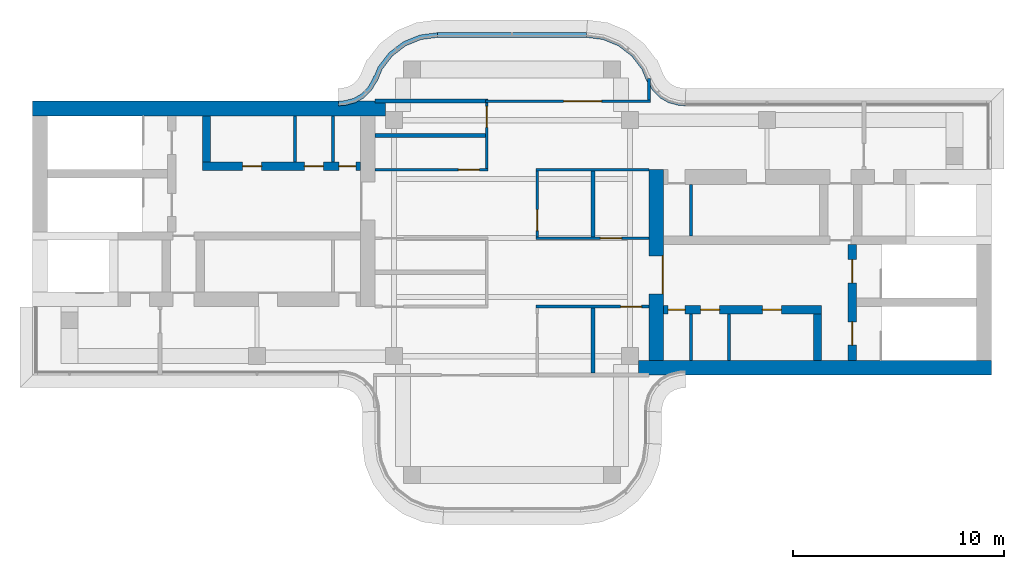
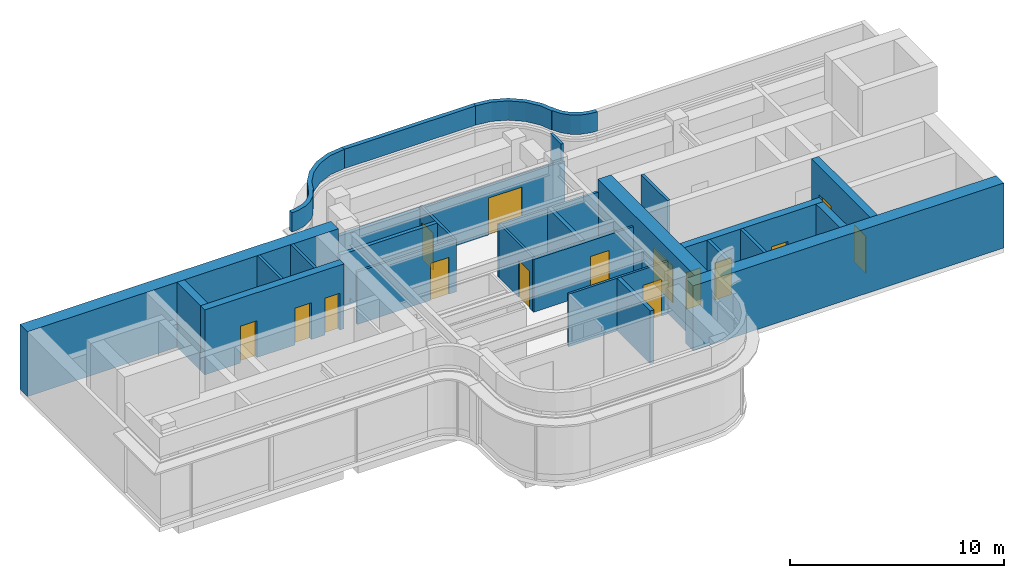
# One storey, part 7 of 9: 28 walls, 15 doors, 15 openings.
"""IFC4 building model written with IfcOpenShell, lengths in metres."""

from ifc_helpers import new_model, si_unit, direction, frame, frame_2d, origin, place, context, subcontext, project, spatial, polyline, rectangle, outline, extrude, source, transform, mapped, material, layer, layer_set, type_object, element, fill, save


model = new_model("IFC4")

# Units and contexts
model_context = context("Model", 3, precision=1e-05, world=origin(), true_north=direction((0.0, 1.0)))
body_context = subcontext(model_context, "Body", "Model", "MODEL_VIEW")
ifc_project = project(units=[si_unit("LENGTHUNIT", "METRE"), si_unit("AREAUNIT", "SQUARE_METRE"), si_unit("VOLUMEUNIT", "CUBIC_METRE"), si_unit("PLANEANGLEUNIT", "RADIAN"), si_unit("MASSUNIT", "GRAM", prefix="KILO")], contexts=[model_context])

# Site, building, storey
site_placement = place(None, origin())
site = spatial("IfcSite", under=ifc_project, at=site_placement, CompositionType="ELEMENT")
building_placement = place(site_placement, origin())
building = spatial("IfcBuilding", under=site, at=building_placement, Name="Trellis Farm Tower", CompositionType="ELEMENT")
storey_placement = place(building_placement, frame((0.0, 0.0, 358.10009765625)))
storey = spatial("IfcBuildingStorey", under=building, at=storey_placement, Name="L81", CompositionType="ELEMENT", Elevation=358.10009765625)

# Walls
ifc_material_1 = material(Name="Sandstone faced insulated wall", Category="masonry")
ifc_layer_1 = layer(ifc_material_1, 0.22509765625)
ifc_layer_set_1 = layer_set([ifc_layer_1], Name="PARAPET WALL 225")
wall_type_1 = type_object("IfcWallType", Name="PARAPET WALL 225", PredefinedType="PARAPET", material=ifc_layer_set_1)
placement = place(storey_placement, frame((0.0, 0.0, 4.0)))
element("IfcWall", 1, at=placement, inside=storey, type_object=wall_type_1, Name="EW3 09", PredefinedType="PARAPET", context=body_context, shape_type="SweptSolid", body=[
    extrude(outline(polyline([(8.2314453125, 6.5), (8.01953125, 6.513916015625), (7.91552734375, 6.527587890625), (7.508544921875, 6.63671875), (7.144287109375, 6.846923828125), (6.846923828125, 7.144287109375), (6.63623046875, 7.50927734375), (6.555419921875, 7.704345703125), (6.53466796875, 7.69580078125), (6.356689453125, 8.125), (5.84033203125, 8.798095703125), (5.167236328125, 9.314697265625), (4.38330078125, 9.63916015625), (3.542236328125, 9.75), (3.527587890625, 9.52490234375), (4.32470703125, 9.420166015625), (5.0537109375, 9.1181640625), (5.679931640625, 8.6376953125), (6.160400390625, 8.011474609375), (6.412841796875, 7.40185546875), (6.43359375, 7.410400390625), (6.43408203125, 7.40966796875), (6.6669921875, 7.006103515625), (7.006103515625, 6.6669921875), (7.421630859375, 6.427001953125), (7.87158203125, 6.306396484375), (7.99755859375, 6.289794921875), (8.22412109375, 6.27490234375), (8.2314453125, 6.5)])), origin(), (0.0, 0.0, 1.0), 1.099853515625),
])
wall_2_placement = place(storey_placement, frame((3.542236328125, 9.637451171875, 4.0), z_axis=(0.0, 0.0, 1.0), x_axis=(-1.0, 0.0, 0.0)))
element("IfcWall", 2, at=wall_2_placement, inside=storey, type_object=wall_type_1, Name="EW3 10", PredefinedType="PARAPET", context=body_context, shape_type="SweptSolid", body=[
    extrude(rectangle(XDim=7.08447265625, YDim=0.22509765625, at=frame_2d((3.542236328125, 0.0))), origin(), (0.0, 0.0, 1.0), 1.099853515625),
])
element("IfcWall", 3, at=placement, inside=storey, type_object=wall_type_1, Name="EW3 11", PredefinedType="PARAPET", context=body_context, shape_type="SweptSolid", body=[
    extrude(outline(polyline([(-3.542236328125, 9.75), (-4.38330078125, 9.63916015625), (-5.167236328125, 9.314697265625), (-5.84033203125, 8.798095703125), (-6.356689453125, 8.125), (-6.53466796875, 7.69580078125), (-6.555419921875, 7.704345703125), (-6.63623046875, 7.50927734375), (-6.846923828125, 7.144287109375), (-7.144287109375, 6.846923828125), (-7.508544921875, 6.63671875), (-7.91552734375, 6.527587890625), (-8.01953125, 6.513916015625), (-8.2314453125, 6.5), (-8.22412109375, 6.27490234375), (-7.99755859375, 6.289794921875), (-7.87158203125, 6.306396484375), (-7.421630859375, 6.427001953125), (-7.006103515625, 6.6669921875), (-6.6669921875, 7.006103515625), (-6.43408203125, 7.40966796875), (-6.43359375, 7.410400390625), (-6.412841796875, 7.40185546875), (-6.160400390625, 8.011474609375), (-5.679931640625, 8.6376953125), (-5.0537109375, 9.1181640625), (-4.32470703125, 9.420166015625), (-3.527587890625, 9.52490234375), (-3.542236328125, 9.75)])), origin(), (0.0, 0.0, 1.0), 1.099853515625),
])
ifc_material_2 = material(Name="Plasterboard on steel studs, mineral wool", Category="steel")
ifc_layer_2 = layer(ifc_material_2, 0.125)
ifc_layer_set_2 = layer_set([ifc_layer_2], Name="PARTITION 125 STUD EI 60")
wall_type_2 = type_object("IfcWallType", Name="PARTITION 125 STUD EI 60", PredefinedType="PARTITIONING", material=ifc_layer_set_2)
wall_4_placement = place(storey_placement, frame((6.5, 6.5625, 0.0), z_axis=(0.0, 0.0, 1.0), x_axis=(0.0, 1.0, 0.0)))
element("IfcWall", 4, at=wall_4_placement, inside=storey, type_object=wall_type_2, Name="Partition PW1", PredefinedType="PARTITIONING", context=body_context, shape_type="SweptSolid", body=[
    extrude(rectangle(XDim=1.016845703125, YDim=0.125, at=frame_2d((0.50830078125, 0.0))), origin(), (0.0, 0.0, 1.0), 3.699951171875),
])

# Wall, opening, door
ifc_material_3 = material(Name="Concrete C50/60", Category="concrete")
ifc_layer_3 = layer(ifc_material_3, 0.699951171875)
ifc_layer_set_3 = layer_set([ifc_layer_3], Name="CORE OUTER WALL 700 CONCRETE C50/60")
wall_type_3 = type_object("IfcWallType", Name="CORE OUTER WALL 700 CONCRETE C50/60", PredefinedType="SHEAR", material=ifc_layer_set_3)
shared_shape_1 = source(origin(), body_context, "Body", "SweptSolid", [
    extrude(rectangle(XDim=9.050048828125, YDim=0.699951171875, at=frame_2d((4.52490234375, 0.0))), origin(), (0.0, 0.0, 1.0), 3.699951171875),
])
wall_5_placement = place(storey_placement, frame((6.85009765625, -5.800048828125, 0.0), z_axis=(0.0, 0.0, 1.0), x_axis=(0.0, 1.0, 0.0)))
wall_5 = element("IfcWall", 5, at=wall_5_placement, inside=storey, type_object=wall_type_3, Name="Core wall", PredefinedType="SHEAR", context=body_context, shape_type="MappedRepresentation", body=[
    mapped(shared_shape_1, transform((0.0, 0.0, 0.0))),
])
shared_shape_2 = source(origin(), body_context, "Body", "SweptSolid", [
    extrude(rectangle(XDim=1.800048828125, YDim=2.10009765625, at=frame_2d((0.89990234375, 1.050048828125))), frame((0.0, 0.360107421875, 0.0), z_axis=(0.0, -1.0, 0.0), x_axis=(1.0, 0.0, 0.0)), (0.0, 0.0, 1.0), 0.72021484375),
])
opening_1_placement = place(wall_5_placement, frame((3.14990234375, 0.0, 0.0)))
opening_1 = element("IfcOpeningElement", 6, at=opening_1_placement, cuts=wall_5, Name="Opening DC1", PredefinedType="OPENING", context=body_context, shape_type="MappedRepresentation", body=[
    mapped(shared_shape_2, transform((0.0, 0.0, 0.0))),
])
ifc_material_4 = material(Name="Steel", Category="steel")
door_type_1 = type_object("IfcDoorType", Name="CORE FIRE DOOR DOUBLE 1800 X 2100", OperationType="DOUBLE_DOOR_SINGLE_SWING", PredefinedType="DOOR", material=ifc_material_4)
shared_shape_3 = source(origin(), body_context, "Body", "SweptSolid", [
    extrude(rectangle(XDim=1.800048828125, YDim=2.10009765625, at=frame_2d((0.89990234375, 1.050048828125))), frame((0.0, -0.27490234375, 0.0), z_axis=(0.0, -1.0, 0.0), x_axis=(1.0, 0.0, 0.0)), (0.0, 0.0, 1.0), 0.050048828125),
])
door_1_placement = place(opening_1_placement, origin())
door_1 = element("IfcDoor", 7, at=door_1_placement, inside=storey, type_object=door_type_1, Name="Core door", OperationType="DOUBLE_DOOR_SINGLE_SWING", OverallHeight=2.10009765625, OverallWidth=1.800048828125, PredefinedType="DOOR", context=body_context, shape_type="MappedRepresentation", body=[
    mapped(shared_shape_3, transform((0.0, 0.0, 0.0))),
])
fill(opening_1, door_1)

# Wall, openings, doors
ifc_layer_4 = layer(ifc_material_3, 0.39990234375)
ifc_layer_set_4 = layer_set([ifc_layer_4], Name="CORE INNER WALL 400 CONCRETE C50/60")
wall_type_4 = type_object("IfcWallType", Name="CORE INNER WALL 400 CONCRETE C50/60", PredefinedType="SHEAR", material=ifc_layer_set_4)
shared_shape_4 = source(origin(), body_context, "Body", "SweptSolid", [
    extrude(rectangle(XDim=7.5, YDim=0.39990234375, at=frame_2d((3.75, 0.0))), origin(), (0.0, 0.0, 1.0), 3.699951171875),
])
wall_6_placement = place(storey_placement, frame((7.199951171875, -3.39990234375, 0.0), z_axis=(0.0, 0.0, 1.0), x_axis=(1.0, 0.0, 0.0)))
wall_6 = element("IfcWall", 8, at=wall_6_placement, inside=storey, type_object=wall_type_4, Name="Core wall", PredefinedType="SHEAR", context=body_context, shape_type="MappedRepresentation", body=[
    mapped(shared_shape_4, transform((0.0, 0.0, 0.0))),
])
shared_shape_5 = source(origin(), body_context, "Body", "SweptSolid", [
    extrude(rectangle(XDim=0.800048828125, YDim=2.10009765625, at=frame_2d((0.39990234375, 1.050048828125))), frame((0.0, 0.2099609375, 0.0), z_axis=(0.0, -1.0, 0.0), x_axis=(1.0, 0.0, 0.0)), (0.0, 0.0, 1.0), 0.419921875),
])
opening_2_placement = place(wall_6_placement, frame((0.21240234375, 0.0, 0.0)))
opening_2 = element("IfcOpeningElement", 9, at=opening_2_placement, cuts=wall_6, Name="Opening DC51", PredefinedType="OPENING", context=body_context, shape_type="MappedRepresentation", body=[
    mapped(shared_shape_5, transform((0.0, 0.0, 0.0))),
])
shared_shape_6 = source(origin(), body_context, "Body", "SweptSolid", [
    extrude(rectangle(XDim=0.89990234375, YDim=2.10009765625, at=frame_2d((0.449951171875, 1.050048828125))), frame((0.0, 0.2099609375, 0.0), z_axis=(0.0, -1.0, 0.0), x_axis=(1.0, 0.0, 0.0)), (0.0, 0.0, 1.0), 0.419921875),
])
opening_3_placement = place(wall_6_placement, frame((1.75, 0.0, 0.0)))
opening_3 = element("IfcOpeningElement", 10, at=opening_3_placement, cuts=wall_6, Name="Opening DC60", PredefinedType="OPENING", context=body_context, shape_type="MappedRepresentation", body=[
    mapped(shared_shape_6, transform((0.0, 0.0, 0.0))),
])
opening_4_placement = place(wall_6_placement, frame((4.6875, 0.0, 0.0)))
opening_4 = element("IfcOpeningElement", 11, at=opening_4_placement, cuts=wall_6, Name="Opening DC65", PredefinedType="OPENING", context=body_context, shape_type="MappedRepresentation", body=[
    mapped(shared_shape_6, transform((0.0, 0.0, 0.0))),
])
door_type_2 = type_object("IfcDoorType", Name="CORE FIRE DOOR 900 X 2100", OperationType="NOTDEFINED", PredefinedType="DOOR", material=ifc_material_4)
shared_shape_7 = source(origin(), body_context, "Body", "SweptSolid", [
    extrude(rectangle(XDim=0.89990234375, YDim=2.10009765625, at=frame_2d((0.449951171875, 1.050048828125))), frame((0.0, 0.02490234375, 0.0), z_axis=(0.0, -1.0, 0.0), x_axis=(1.0, 0.0, 0.0)), (0.0, 0.0, 1.0), 0.050048828125),
])
door_2_placement = place(opening_3_placement, origin())
door_2 = element("IfcDoor", 12, at=door_2_placement, inside=storey, type_object=door_type_2, Name="Core door", OperationType="SINGLE_SWING_RIGHT", OverallHeight=2.10009765625, OverallWidth=0.89990234375, PredefinedType="DOOR", context=body_context, shape_type="MappedRepresentation", body=[
    mapped(shared_shape_7, transform((0.0, 0.0, 0.0))),
])
fill(opening_3, door_2)
door_3_placement = place(opening_4_placement, origin())
door_3 = element("IfcDoor", 13, at=door_3_placement, inside=storey, type_object=door_type_2, Name="Core door", OperationType="SINGLE_SWING_LEFT", OverallHeight=2.10009765625, OverallWidth=0.89990234375, PredefinedType="DOOR", context=body_context, shape_type="MappedRepresentation", body=[
    mapped(shared_shape_7, transform((0.0, 0.0, 0.0))),
])
fill(opening_4, door_3)
door_type_3 = type_object("IfcDoorType", Name="CORE FIRE DOOR 800 X 2100", OperationType="NOTDEFINED", PredefinedType="DOOR", material=ifc_material_4)
shared_shape_8 = source(origin(), body_context, "Body", "SweptSolid", [
    extrude(rectangle(XDim=0.800048828125, YDim=2.10009765625, at=frame_2d((0.39990234375, 1.050048828125))), frame((0.0, 0.02490234375, 0.0), z_axis=(0.0, -1.0, 0.0), x_axis=(1.0, 0.0, 0.0)), (0.0, 0.0, 1.0), 0.050048828125),
])
door_4_placement = place(opening_2_placement, origin())
door_4 = element("IfcDoor", 14, at=door_4_placement, inside=storey, type_object=door_type_3, Name="Core door", OperationType="SINGLE_SWING_LEFT", OverallHeight=2.10009765625, OverallWidth=0.800048828125, PredefinedType="DOOR", context=body_context, shape_type="MappedRepresentation", body=[
    mapped(shared_shape_8, transform((0.0, 0.0, 0.0))),
])
fill(opening_2, door_4)

wall_7_placement = place(storey_placement, frame((-7.199951171875, 3.39990234375, 0.0), z_axis=(0.0, 0.0, 1.0), x_axis=(-1.0, 0.0, 0.0)))
wall_7 = element("IfcWall", 15, at=wall_7_placement, inside=storey, type_object=wall_type_4, Name="Core wall", PredefinedType="SHEAR", context=body_context, shape_type="MappedRepresentation", body=[
    mapped(shared_shape_4, transform((0.0, 0.0, 0.0))),
])
opening_5_placement = place(wall_7_placement, frame((0.21240234375, 0.0, 0.0)))
opening_5 = element("IfcOpeningElement", 16, at=opening_5_placement, cuts=wall_7, Name="Opening DC137", PredefinedType="OPENING", context=body_context, shape_type="MappedRepresentation", body=[
    mapped(shared_shape_5, transform((0.0, 0.0, 0.0))),
])
opening_6_placement = place(wall_7_placement, frame((1.75, 0.0, 0.0)))
opening_6 = element("IfcOpeningElement", 17, at=opening_6_placement, cuts=wall_7, Name="Opening DC146", PredefinedType="OPENING", context=body_context, shape_type="MappedRepresentation", body=[
    mapped(shared_shape_6, transform((0.0, 0.0, 0.0))),
])
opening_7_placement = place(wall_7_placement, frame((4.6875, 0.0, 0.0)))
opening_7 = element("IfcOpeningElement", 18, at=opening_7_placement, cuts=wall_7, Name="Opening DC151", PredefinedType="OPENING", context=body_context, shape_type="MappedRepresentation", body=[
    mapped(shared_shape_6, transform((0.0, 0.0, 0.0))),
])
door_5_placement = place(opening_6_placement, origin())
door_5 = element("IfcDoor", 19, at=door_5_placement, inside=storey, type_object=door_type_2, Name="Core door", OperationType="SINGLE_SWING_RIGHT", OverallHeight=2.10009765625, OverallWidth=0.89990234375, PredefinedType="DOOR", context=body_context, shape_type="MappedRepresentation", body=[
    mapped(shared_shape_7, transform((0.0, 0.0, 0.0))),
])
fill(opening_6, door_5)
door_6_placement = place(opening_7_placement, origin())
door_6 = element("IfcDoor", 20, at=door_6_placement, inside=storey, type_object=door_type_2, Name="Core door", OperationType="SINGLE_SWING_LEFT", OverallHeight=2.10009765625, OverallWidth=0.89990234375, PredefinedType="DOOR", context=body_context, shape_type="MappedRepresentation", body=[
    mapped(shared_shape_7, transform((0.0, 0.0, 0.0))),
])
fill(opening_7, door_6)
door_7_placement = place(opening_5_placement, origin())
door_7 = element("IfcDoor", 21, at=door_7_placement, inside=storey, type_object=door_type_3, Name="Core door", OperationType="SINGLE_SWING_LEFT", OverallHeight=2.10009765625, OverallWidth=0.800048828125, PredefinedType="DOOR", context=body_context, shape_type="MappedRepresentation", body=[
    mapped(shared_shape_8, transform((0.0, 0.0, 0.0))),
])
fill(opening_5, door_7)

shared_shape_9 = source(origin(), body_context, "Body", "SweptSolid", [
    extrude(rectangle(XDim=5.5, YDim=0.39990234375, at=frame_2d((2.75, 0.0))), origin(), (0.0, 0.0, 1.0), 3.699951171875),
])
wall_8_placement = place(storey_placement, frame((16.14990234375, -5.800048828125, 0.0), z_axis=(0.0, 0.0, 1.0), x_axis=(0.0, 1.0, 0.0)))
wall_8 = element("IfcWall", 22, at=wall_8_placement, inside=storey, type_object=wall_type_4, Name="Core wall", PredefinedType="SHEAR", context=body_context, shape_type="MappedRepresentation", body=[
    mapped(shared_shape_9, transform((0.0, 0.0, 0.0))),
])
shared_shape_10 = source(origin(), body_context, "Body", "SweptSolid", [
    extrude(rectangle(XDim=1.10009765625, YDim=2.10009765625, at=frame_2d((0.550048828125, 1.050048828125))), frame((0.0, 0.2099609375, 0.0), z_axis=(0.0, -1.0, 0.0), x_axis=(1.0, 0.0, 0.0)), (0.0, 0.0, 1.0), 0.419921875),
])
opening_8_placement = place(wall_8_placement, frame((0.72509765625, 0.0, 0.0)))
opening_8 = element("IfcOpeningElement", 23, at=opening_8_placement, cuts=wall_8, Name="Opening DC2", PredefinedType="OPENING", context=body_context, shape_type="MappedRepresentation", body=[
    mapped(shared_shape_10, transform((0.0, 0.0, 0.0))),
])
opening_9_placement = place(wall_8_placement, frame((3.675048828125, 0.0, 0.0)))
opening_9 = element("IfcOpeningElement", 24, at=opening_9_placement, cuts=wall_8, Name="Opening DC3", PredefinedType="OPENING", context=body_context, shape_type="MappedRepresentation", body=[
    mapped(shared_shape_10, transform((0.0, 0.0, 0.0))),
])
door_type_4 = type_object("IfcDoorType", Name="CORE FIRE DOOR 1100 X 2100", OperationType="NOTDEFINED", PredefinedType="DOOR", material=ifc_material_4)
shared_shape_11 = source(origin(), body_context, "Body", "SweptSolid", [
    extrude(rectangle(XDim=1.10009765625, YDim=2.10009765625, at=frame_2d((0.550048828125, 1.050048828125))), frame((0.0, 0.02490234375, 0.0), z_axis=(0.0, -1.0, 0.0), x_axis=(1.0, 0.0, 0.0)), (0.0, 0.0, 1.0), 0.050048828125),
])
door_8_placement = place(opening_8_placement, origin())
door_8 = element("IfcDoor", 25, at=door_8_placement, inside=storey, type_object=door_type_4, Name="Core door", OperationType="SINGLE_SWING_RIGHT", OverallHeight=2.10009765625, OverallWidth=1.10009765625, PredefinedType="DOOR", context=body_context, shape_type="MappedRepresentation", body=[
    mapped(shared_shape_11, transform((0.0, 0.0, 0.0))),
])
fill(opening_8, door_8)
door_9_placement = place(opening_9_placement, origin())
door_9 = element("IfcDoor", 26, at=door_9_placement, inside=storey, type_object=door_type_4, Name="Core door", OperationType="SINGLE_SWING_LEFT", OverallHeight=2.10009765625, OverallWidth=1.10009765625, PredefinedType="DOOR", context=body_context, shape_type="MappedRepresentation", body=[
    mapped(shared_shape_11, transform((0.0, 0.0, 0.0))),
])
fill(opening_9, door_9)

# Walls
shared_shape_12 = source(origin(), body_context, "Body", "SweptSolid", [
    extrude(rectangle(XDim=2.199951171875, YDim=0.39990234375, at=frame_2d((1.10009765625, 0.0))), origin(), (0.0, 0.0, 1.0), 3.699951171875),
])
for number, where, z_axis, x_axis, name in (
    (27, (14.5, -5.800048828125, 0.0), (0.0, 0.0, 1.0), (0.0, 1.0, 0.0), "Core wall"),
    (28, (-14.5, 5.800048828125, 0.0), (0.0, 0.0, 1.0), (0.0, -1.0, 0.0), "Core wall"),
):
    element("IfcWall", number, at=place(storey_placement, frame(where, z_axis=z_axis, x_axis=x_axis)), inside=storey, type_object=wall_type_4, Name=name, PredefinedType="SHEAR", context=body_context, shape_type="MappedRepresentation", body=[
        mapped(shared_shape_12, transform((0.0, 0.0, 0.0))),
    ])
ifc_material_5 = material(Name="Masonry blockwork", Category="masonry")
ifc_layer_5 = layer(ifc_material_5, 0.14990234375)
ifc_layer_set_5 = layer_set([ifc_layer_5], Name="CORE PARTITION 150 BLOCKWORK")
wall_type_5 = type_object("IfcWallType", Name="CORE PARTITION 150 BLOCKWORK", PredefinedType="PARTITIONING", material=ifc_layer_set_5)
shared_shape_13 = source(origin(), body_context, "Body", "SweptSolid", [
    extrude(rectangle(XDim=2.199951171875, YDim=0.14990234375, at=frame_2d((1.10009765625, 0.0))), origin(), (0.0, 0.0, 1.0), 3.699951171875),
])
for number, where, z_axis, x_axis, name in (
    (29, (8.5, -5.800048828125, 0.0), (0.0, 0.0, 1.0), (0.0, 1.0, 0.0), "Core room partition"),
    (30, (10.300048828125, -5.800048828125, 0.0), (0.0, 0.0, 1.0), (0.0, 1.0, 0.0), "Core room partition"),
    (31, (-8.5, 5.800048828125, 0.0), (0.0, 0.0, 1.0), (0.0, -1.0, 0.0), "Core room partition"),
    (32, (-10.300048828125, 5.800048828125, 0.0), (0.0, 0.0, 1.0), (0.0, -1.0, 0.0), "Core room partition"),
):
    element("IfcWall", number, at=place(storey_placement, frame(where, z_axis=z_axis, x_axis=x_axis)), inside=storey, type_object=wall_type_5, Name=name, PredefinedType="PARTITIONING", context=body_context, shape_type="MappedRepresentation", body=[
        mapped(shared_shape_13, transform((0.0, 0.0, 0.0))),
    ])
shared_shape_14 = source(origin(), body_context, "Body", "SweptSolid", [
    extrude(rectangle(XDim=2.449951171875, YDim=0.14990234375, at=frame_2d((1.22509765625, 0.0))), origin(), (0.0, 0.0, 1.0), 3.699951171875),
])
wall_9_placement = place(storey_placement, frame((8.5, 0.10009765625, 0.0), z_axis=(0.0, 0.0, 1.0), x_axis=(0.0, 1.0, 0.0)))
element("IfcWall", 33, at=wall_9_placement, inside=storey, type_object=wall_type_5, Name="Core room partition", PredefinedType="PARTITIONING", context=body_context, shape_type="MappedRepresentation", body=[
    mapped(shared_shape_14, transform((0.0, 0.0, 0.0))),
])
shared_shape_15 = source(origin(), body_context, "Body", "SweptSolid", [
    extrude(rectangle(XDim=16.75, YDim=0.699951171875, at=frame_2d((8.375, 0.0))), origin(), (0.0, 0.0, 1.0), 3.699951171875),
])
for number, where, z_axis, x_axis, name in (
    (34, (6.0, -6.14990234375, 0.0), (0.0, 0.0, 1.0), (1.0, 0.0, 0.0), "Core wall"),
    (35, (-6.0, 6.14990234375, 0.0), (0.0, 0.0, 1.0), (-1.0, 0.0, 0.0), "Core wall"),
):
    element("IfcWall", number, at=place(storey_placement, frame(where, z_axis=z_axis, x_axis=x_axis)), inside=storey, type_object=wall_type_3, Name=name, PredefinedType="SHEAR", context=body_context, shape_type="MappedRepresentation", body=[
        mapped(shared_shape_15, transform((0.0, 0.0, 0.0))),
    ])

# Wall, opening, door
shared_shape_16 = source(origin(), body_context, "Body", "SweptSolid", [
    extrude(rectangle(XDim=5.362548828125, YDim=0.125, at=frame_2d((2.68115234375, 0.0))), origin(), (0.0, 0.0, 1.0), 2.99658203125),
])
wall_10_placement = place(storey_placement, frame((6.5, -3.25, 0.0), z_axis=(0.0, 0.0, 1.0), x_axis=(-1.0, 0.0, 0.0)))
wall_10 = element("IfcWall", 36, at=wall_10_placement, inside=storey, type_object=wall_type_2, Name="Partition PW1", PredefinedType="PARTITIONING", context=body_context, shape_type="MappedRepresentation", body=[
    mapped(shared_shape_16, transform((0.0, 0.0, 0.0))),
])
shared_shape_17 = source(origin(), body_context, "Body", "SweptSolid", [
    extrude(rectangle(XDim=1.0, YDim=2.10009765625, at=frame_2d((0.5, 1.050048828125))), frame((0.0, 0.072509765625, 0.0), z_axis=(0.0, -1.0, 0.0), x_axis=(1.0, 0.0, 0.0)), (0.0, 0.0, 1.0), 0.14501953125),
])
opening_10_placement = place(wall_10_placement, frame((0.35009765625, 0.0, 0.0)))
opening_10 = element("IfcOpeningElement", 37, at=opening_10_placement, cuts=wall_10, Name="Opening D301", PredefinedType="OPENING", context=body_context, shape_type="MappedRepresentation", body=[
    mapped(shared_shape_17, transform((0.0, 0.0, 0.0))),
])
ifc_material_6 = material(Name="Fire-rated timber door leaf in a hollow metal frame", Category="wood")
door_type_5 = type_object("IfcDoorType", Name="DOOR 1000x2100 FD60", OperationType="NOTDEFINED", PredefinedType="DOOR", material=ifc_material_6)
shared_shape_18 = source(origin(), body_context, "Body", "SweptSolid", [
    extrude(rectangle(XDim=1.0, YDim=2.10009765625, at=frame_2d((0.5, 1.050048828125))), frame((0.0, 0.02490234375, 0.0), z_axis=(0.0, -1.0, 0.0), x_axis=(1.0, 0.0, 0.0)), (0.0, 0.0, 1.0), 0.050048828125),
])
door_10_placement = place(opening_10_placement, origin())
door_10 = element("IfcDoor", 38, at=door_10_placement, inside=storey, type_object=door_type_5, Name="Door D301", OperationType="SINGLE_SWING_LEFT", OverallHeight=2.10009765625, OverallWidth=1.0, PredefinedType="DOOR", context=body_context, shape_type="MappedRepresentation", body=[
    mapped(shared_shape_18, transform((0.0, 0.0, 0.0))),
])
fill(opening_10, door_10)

wall_11_placement = place(storey_placement, frame((6.5, 0.0, 0.0), z_axis=(0.0, 0.0, 1.0), x_axis=(-1.0, 0.0, 0.0)))
wall_11 = element("IfcWall", 39, at=wall_11_placement, inside=storey, type_object=wall_type_2, Name="Partition PW1", PredefinedType="PARTITIONING", context=body_context, shape_type="MappedRepresentation", body=[
    mapped(shared_shape_16, transform((0.0, 0.0, 0.0))),
])
opening_11_placement = place(wall_11_placement, frame((1.300048828125, 0.0, 0.0)))
opening_11 = element("IfcOpeningElement", 40, at=opening_11_placement, cuts=wall_11, Name="Opening D303", PredefinedType="OPENING", context=body_context, shape_type="MappedRepresentation", body=[
    mapped(shared_shape_17, transform((0.0, 0.0, 0.0))),
])
door_11_placement = place(opening_11_placement, origin())
door_11 = element("IfcDoor", 41, at=door_11_placement, inside=storey, type_object=door_type_5, Name="Door D303", OperationType="SINGLE_SWING_RIGHT", OverallHeight=2.10009765625, OverallWidth=1.0, PredefinedType="DOOR", context=body_context, shape_type="MappedRepresentation", body=[
    mapped(shared_shape_18, transform((0.0, 0.0, 0.0))),
])
fill(opening_11, door_11)

wall_12_placement = place(storey_placement, frame((-6.5, 3.25, 0.0), z_axis=(0.0, 0.0, 1.0), x_axis=(1.0, 0.0, 0.0)))
wall_12 = element("IfcWall", 42, at=wall_12_placement, inside=storey, type_object=wall_type_2, Name="Partition PW1", PredefinedType="PARTITIONING", context=body_context, shape_type="MappedRepresentation", body=[
    mapped(shared_shape_16, transform((0.0, 0.0, 0.0))),
])
opening_12_placement = place(wall_12_placement, frame((3.949951171875, 0.0, 0.0)))
opening_12 = element("IfcOpeningElement", 43, at=opening_12_placement, cuts=wall_12, Name="Opening D304", PredefinedType="OPENING", context=body_context, shape_type="MappedRepresentation", body=[
    mapped(shared_shape_17, transform((0.0, 0.0, 0.0))),
])
door_12_placement = place(opening_12_placement, origin())
door_12 = element("IfcDoor", 44, at=door_12_placement, inside=storey, type_object=door_type_5, Name="Door D304", OperationType="SINGLE_SWING_RIGHT", OverallHeight=2.10009765625, OverallWidth=1.0, PredefinedType="DOOR", context=body_context, shape_type="MappedRepresentation", body=[
    mapped(shared_shape_18, transform((0.0, 0.0, 0.0))),
])
fill(opening_12, door_12)

# Wall
wall_13_placement = place(storey_placement, frame((1.137451171875, 3.25, 0.0), z_axis=(0.0, 0.0, 1.0), x_axis=(1.0, 0.0, 0.0)))
element("IfcWall", 45, at=wall_13_placement, inside=storey, type_object=wall_type_2, Name="Partition PW1", PredefinedType="PARTITIONING", context=body_context, shape_type="MappedRepresentation", body=[
    mapped(shared_shape_16, transform((0.0, 0.0, 0.0))),
])

# Wall, opening, door
shared_shape_19 = source(origin(), body_context, "Body", "SweptSolid", [
    extrude(rectangle(XDim=3.125, YDim=0.125, at=frame_2d((1.5625, 0.0))), origin(), (0.0, 0.0, 1.0), 3.067626953125),
])
wall_14_placement = place(storey_placement, frame((1.199951171875, 3.1875, 0.0), z_axis=(0.0, 0.0, 1.0), x_axis=(0.0, -1.0, 0.0)))
wall_14 = element("IfcWall", 46, at=wall_14_placement, inside=storey, type_object=wall_type_2, Name="Partition PW1", PredefinedType="PARTITIONING", context=body_context, shape_type="MappedRepresentation", body=[
    mapped(shared_shape_19, transform((0.0, 0.0, 0.0))),
])
opening_13_placement = place(wall_14_placement, frame((1.83740234375, 0.0, 0.0)))
opening_13 = element("IfcOpeningElement", 47, at=opening_13_placement, cuts=wall_14, Name="Opening D102", PredefinedType="OPENING", context=body_context, shape_type="MappedRepresentation", body=[
    mapped(shared_shape_17, transform((0.0, 0.0, 0.0))),
])
door_type_6 = type_object("IfcDoorType", Name="DOOR 1000x2100 FD30S", OperationType="NOTDEFINED", PredefinedType="DOOR", material=ifc_material_6)
door_13_placement = place(opening_13_placement, origin())
door_13 = element("IfcDoor", 48, at=door_13_placement, inside=storey, type_object=door_type_6, Name="Door D102", OperationType="SINGLE_SWING_RIGHT", OverallHeight=2.10009765625, OverallWidth=1.0, PredefinedType="DOOR", context=body_context, shape_type="MappedRepresentation", body=[
    mapped(shared_shape_18, transform((0.0, 0.0, 0.0))),
])
fill(opening_13, door_13)

# Wall
ifc_material_7 = material(Name="Lightweight blockwork, plastered", Category="masonry")
ifc_layer_6 = layer(ifc_material_7, 0.199951171875)
ifc_layer_set_6 = layer_set([ifc_layer_6], Name="BLOCK WALL 200 EI 120")
wall_type_6 = type_object("IfcWallType", Name="BLOCK WALL 200 EI 120", PredefinedType="PARTITIONING", material=ifc_layer_set_6)
shared_shape_20 = source(origin(), body_context, "Body", "SweptSolid", [
    extrude(rectangle(XDim=3.08740234375, YDim=0.199951171875, at=frame_2d((1.543701171875, 0.0))), origin(), (0.0, 0.0, 1.0), 2.99658203125),
])
wall_15_placement = place(storey_placement, frame((3.85009765625, -6.39990234375, 0.0), z_axis=(0.0, 0.0, 1.0), x_axis=(0.0, 1.0, 0.0)))
element("IfcWall", 49, at=wall_15_placement, inside=storey, type_object=wall_type_6, Name="Partition PW3", PredefinedType="PARTITIONING", context=body_context, shape_type="MappedRepresentation", body=[
    mapped(shared_shape_20, transform((0.0, 0.0, 0.0))),
])

# Wall, opening, door
shared_shape_21 = source(origin(), body_context, "Body", "SweptSolid", [
    extrude(rectangle(XDim=3.08740234375, YDim=0.125, at=frame_2d((1.543701171875, 0.0))), origin(), (0.0, 0.0, 1.0), 2.99658203125),
])
wall_16_placement = place(storey_placement, frame((-1.199951171875, 6.39990234375, 0.0), z_axis=(0.0, 0.0, 1.0), x_axis=(0.0, -1.0, 0.0)))
wall_16 = element("IfcWall", 50, at=wall_16_placement, inside=storey, type_object=wall_type_2, Name="Partition PW1", PredefinedType="PARTITIONING", context=body_context, shape_type="MappedRepresentation", body=[
    mapped(shared_shape_21, transform((0.0, 0.0, 0.0))),
])
opening_14_placement = place(wall_16_placement, frame((0.14990234375, 0.0, 0.0)))
opening_14 = element("IfcOpeningElement", 51, at=opening_14_placement, cuts=wall_16, Name="Opening D305", PredefinedType="OPENING", context=body_context, shape_type="MappedRepresentation", body=[
    mapped(shared_shape_17, transform((0.0, 0.0, 0.0))),
])
door_14_placement = place(opening_14_placement, origin())
door_14 = element("IfcDoor", 52, at=door_14_placement, inside=storey, type_object=door_type_5, Name="Door D305", OperationType="SINGLE_SWING_LEFT", OverallHeight=2.10009765625, OverallWidth=1.0, PredefinedType="DOOR", context=body_context, shape_type="MappedRepresentation", body=[
    mapped(shared_shape_18, transform((0.0, 0.0, 0.0))),
])
fill(opening_14, door_14)

# Walls
shared_shape_22 = source(origin(), body_context, "Body", "SweptSolid", [
    extrude(rectangle(XDim=3.125, YDim=0.199951171875, at=frame_2d((1.5625, 0.0))), origin(), (0.0, 0.0, 1.0), 3.067626953125),
])
wall_17_placement = place(storey_placement, frame((3.85009765625, 0.0625, 0.0), z_axis=(0.0, 0.0, 1.0), x_axis=(0.0, 1.0, 0.0)))
element("IfcWall", 53, at=wall_17_placement, inside=storey, type_object=wall_type_6, Name="Partition PW3", PredefinedType="PARTITIONING", context=body_context, shape_type="MappedRepresentation", body=[
    mapped(shared_shape_22, transform((0.0, 0.0, 0.0))),
])
shared_shape_23 = source(origin(), body_context, "Body", "SweptSolid", [
    extrude(rectangle(XDim=5.237548828125, YDim=0.199951171875, at=frame_2d((2.61865234375, 0.0))), origin(), (0.0, 0.0, 1.0), 2.99658203125),
])
wall_18_placement = place(storey_placement, frame((-6.5, 4.875, 0.0), z_axis=(0.0, 0.0, 1.0), x_axis=(1.0, 0.0, 0.0)))
element("IfcWall", 54, at=wall_18_placement, inside=storey, type_object=wall_type_6, Name="Partition PW3", PredefinedType="PARTITIONING", context=body_context, shape_type="MappedRepresentation", body=[
    mapped(shared_shape_23, transform((0.0, 0.0, 0.0))),
])
shared_shape_24 = source(origin(), body_context, "Body", "SweptSolid", [
    extrude(rectangle(XDim=5.362548828125, YDim=0.199951171875, at=frame_2d((2.68115234375, 0.0))), origin(), (0.0, 0.0, 1.0), 2.77978515625),
])
wall_19_placement = place(storey_placement, frame((-6.5, 6.5, 0.0), z_axis=(0.0, 0.0, 1.0), x_axis=(1.0, 0.0, 0.0)))
element("IfcWall", 55, at=wall_19_placement, inside=storey, type_object=wall_type_6, Name="Partition PW3", PredefinedType="PARTITIONING", context=body_context, shape_type="MappedRepresentation", body=[
    mapped(shared_shape_24, transform((0.0, 0.0, 0.0))),
])

# Wall, opening, door
shared_shape_25 = source(origin(), body_context, "Body", "SweptSolid", [
    extrude(rectangle(XDim=7.824951171875, YDim=0.125, at=frame_2d((3.91259765625, 0.0))), origin(), (0.0, 0.0, 1.0), 2.77978515625),
])
wall_20_placement = place(storey_placement, frame((-1.262451171875, 6.5, 0.0), z_axis=(0.0, 0.0, 1.0), x_axis=(1.0, 0.0, 0.0)))
wall_20 = element("IfcWall", 56, at=wall_20_placement, inside=storey, type_object=wall_type_2, Name="Partition PW1", PredefinedType="PARTITIONING", context=body_context, shape_type="MappedRepresentation", body=[
    mapped(shared_shape_25, transform((0.0, 0.0, 0.0))),
])
shared_shape_26 = source(origin(), body_context, "Body", "SweptSolid", [
    extrude(rectangle(XDim=1.800048828125, YDim=2.10009765625, at=frame_2d((0.89990234375, 1.050048828125))), frame((0.0, 0.072509765625, 0.0), z_axis=(0.0, -1.0, 0.0), x_axis=(1.0, 0.0, 0.0)), (0.0, 0.0, 1.0), 0.14501953125),
])
opening_15_placement = place(wall_20_placement, frame((3.71240234375, 0.0, 0.0)))
opening_15 = element("IfcOpeningElement", 57, at=opening_15_placement, cuts=wall_20, Name="Opening D402", PredefinedType="OPENING", context=body_context, shape_type="MappedRepresentation", body=[
    mapped(shared_shape_26, transform((0.0, 0.0, 0.0))),
])
door_type_7 = type_object("IfcDoorType", Name="DOOR PAIR 1800x2100 FD60", OperationType="NOTDEFINED", PredefinedType="DOOR", material=ifc_material_6)
shared_shape_27 = source(origin(), body_context, "Body", "SweptSolid", [
    extrude(rectangle(XDim=1.800048828125, YDim=2.10009765625, at=frame_2d((0.89990234375, 1.050048828125))), frame((0.0, 0.02490234375, 0.0), z_axis=(0.0, -1.0, 0.0), x_axis=(1.0, 0.0, 0.0)), (0.0, 0.0, 1.0), 0.050048828125),
])
door_15_placement = place(opening_15_placement, origin())
door_15 = element("IfcDoor", 58, at=door_15_placement, inside=storey, type_object=door_type_7, Name="Door D402", OperationType="DOUBLE_DOOR_SINGLE_SWING", OverallHeight=2.10009765625, OverallWidth=1.800048828125, PredefinedType="DOOR", context=body_context, shape_type="MappedRepresentation", body=[
    mapped(shared_shape_27, transform((0.0, 0.0, 0.0))),
])
fill(opening_15, door_15)

save(model, "model.ifc")
